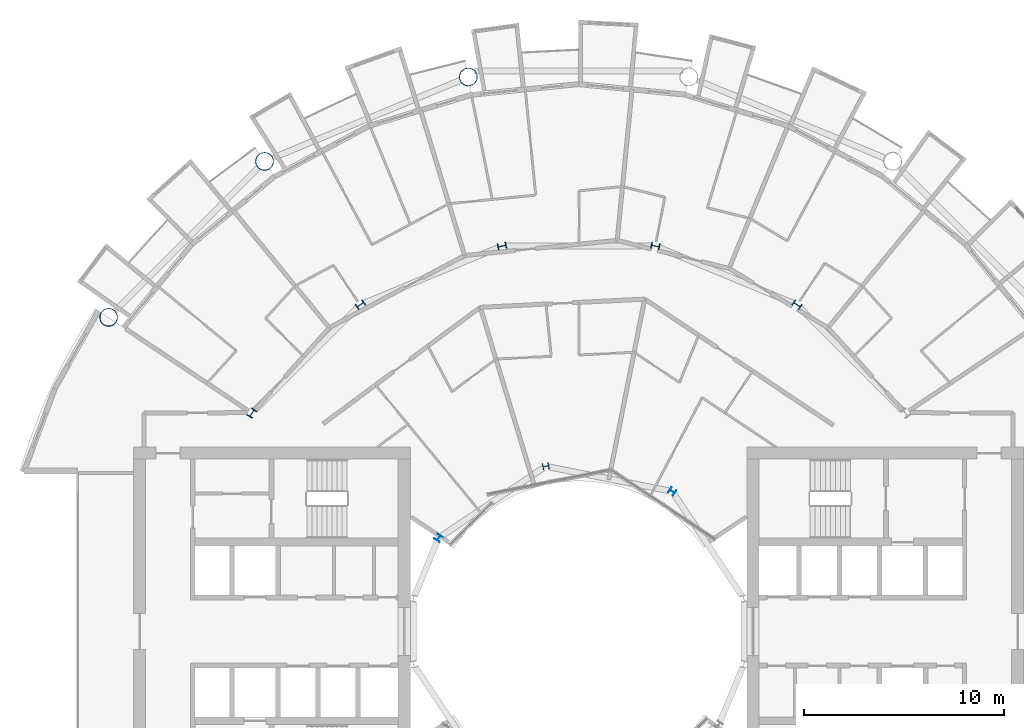
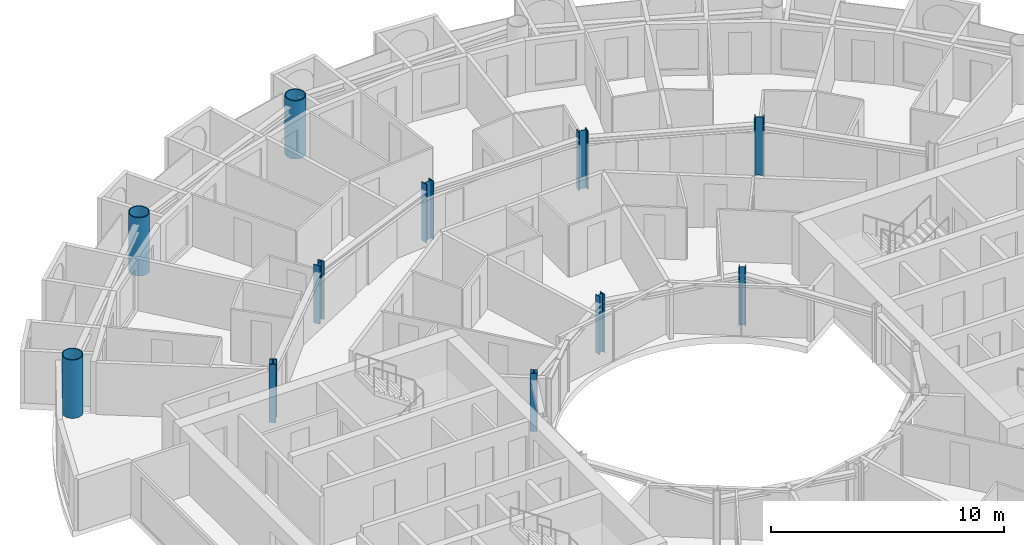
# One storey, part 3 of 26: 11 columns.
"""IFC4 building model written with IfcOpenShell, lengths in metres."""

from ifc_helpers import new_model, si_unit, direction, frame, origin, origin_2d, place, context, subcontext, project, spatial, hollow_circle, i_section, extrude, material, material_profile, profile_set, type_object, element, save


model = new_model("IFC4")

# Units and contexts
model_context = context("Model", 3, precision=1e-05, world=origin(), true_north=direction((0.0, 1.0)))
body_context = subcontext(model_context, "Body", "Model", "MODEL_VIEW")
ifc_project = project(units=[si_unit("LENGTHUNIT", "METRE"), si_unit("AREAUNIT", "SQUARE_METRE"), si_unit("VOLUMEUNIT", "CUBIC_METRE"), si_unit("PLANEANGLEUNIT", "RADIAN"), si_unit("MASSUNIT", "GRAM", prefix="KILO")], contexts=[model_context])

# Site, building, storey
site_placement = place(None, origin())
site = spatial("IfcSite", under=ifc_project, at=site_placement, CompositionType="ELEMENT")
building_placement = place(site_placement, origin())
building = spatial("IfcBuilding", under=site, at=building_placement, Name="Maasbend Ring Residences", CompositionType="ELEMENT")
storey_placement = place(building_placement, frame((0.0, 0.0, 123.85009765625)))
storey = spatial("IfcBuildingStorey", under=building, at=storey_placement, Name="L35", CompositionType="ELEMENT", Elevation=123.85009765625)

# Columns
ifc_material_1 = material(Name="Composite concrete-filled steel tube S460NH / C80/95", Category="concrete")
ifc_material_profile_1 = material_profile(ifc_material_1, hollow_circle(Radius=0.45703125, WallThickness=0.0400390625, at=origin_2d()), Name="Composite tube column CHS 914x40")
ifc_profile_set_1 = profile_set([ifc_material_profile_1], Name="Composite concrete-filled steel tube S460NH / C80/95")
column_type_1 = type_object("IfcColumnType", Name="Composite tube column CHS 914x40", PredefinedType="COLUMN", material=ifc_profile_set_1)
for number, where, z_axis, x_axis, name in (
    (1, (-5.50146484375, 27.658203125, 0.0), (0.0, 0.0, 1.0), (1.0, 0.0, 0.0), "Outer column R5"),
    (2, (-15.6669921875, 23.447509765625, 0.0), (0.0, 0.0, 1.0), (1.0, 0.0, 0.0), "Outer column R6"),
    (3, (-23.447509765625, 15.6669921875, 0.0), (0.0, 0.0, 1.0), (1.0, 0.0, 0.0), "Outer column R7"),
):
    element("IfcColumn", number, at=place(storey_placement, frame(where, z_axis=z_axis, x_axis=x_axis)), inside=storey, type_object=column_type_1, Name=name, PredefinedType="COLUMN", context=body_context, shape_type="SweptSolid", body=[
        extrude(hollow_circle(Radius=0.45703125, WallThickness=0.0400390625, at=origin_2d()), origin(), (0.0, 0.0, 1.0), 3.0498046875),
    ])
ifc_material_2 = material(Name="Steel S355J2", Category="steel")
ifc_material_profile_2 = material_profile(ifc_material_2, i_section(OverallWidth=0.300048828125, OverallDepth=0.300048828125, WebThickness=0.010986328125, FlangeThickness=0.01904296875, FilletRadius=0.027099609375, at=origin_2d()), Name="HEB 300")
ifc_profile_set_2 = profile_set([ifc_material_profile_2], Name="Steel S355J2")
column_type_2 = type_object("IfcColumnType", Name="Steel column HEB 300", PredefinedType="COLUMN", material=ifc_profile_set_2)
for number, where, z_axis, x_axis, name in (
    (4, (4.666748046875, 6.984375, 0.0), (0.0, 0.0, 1.0), (0.55557023302, 0.831469612303, 0.0), "Well ring column R3"),
    (5, (-1.638916015625, 8.238525390625, 0.0), (0.0, 0.0, 1.0), (-0.195090322016, 0.980785280403, 0.0), "Well ring column R5"),
    (6, (-6.984375, 4.666748046875, 0.0), (0.0, 0.0, 1.0), (-0.831469612303, 0.55557023302, 0.0), "Well ring column R7"),
):
    element("IfcColumn", number, at=place(storey_placement, frame(where, z_axis=z_axis, x_axis=x_axis)), inside=storey, type_object=column_type_2, Name=name, PredefinedType="COLUMN", context=body_context, shape_type="SweptSolid", body=[
        extrude(i_section(OverallWidth=0.300048828125, OverallDepth=0.300048828125, WebThickness=0.010986328125, FlangeThickness=0.01904296875, FilletRadius=0.027099609375, at=origin_2d()), origin(), (0.0, 0.0, 1.0), 3.0498046875),
    ])
ifc_material_3 = material(Name="Steel S460M", Category="steel")
ifc_material_profile_3 = material_profile(ifc_material_3, i_section(OverallWidth=0.306884765625, OverallDepth=0.431884765625, WebThickness=0.02099609375, FlangeThickness=0.0400390625, FilletRadius=0.027099609375, at=origin_2d()), Name="HEM 400")
ifc_profile_set_3 = profile_set([ifc_material_profile_3], Name="Steel S460M")
column_type_3 = type_object("IfcColumnType", Name="Steel column HEM 400", PredefinedType="COLUMN", material=ifc_profile_set_3)
for number, where, z_axis, x_axis, name in (
    (7, (10.88916015625, 16.296875, 0.0), (0.0, 0.0, 1.0), (0.55557023302, 0.831469612303, 0.0), "Corridor ring column R3"),
    (8, (3.82373046875, 19.223388671875, 0.0), (0.0, 0.0, 1.0), (0.195090322016, 0.980785280403, 0.0), "Corridor ring column R4"),
    (9, (-3.82373046875, 19.223388671875, 0.0), (0.0, 0.0, 1.0), (-0.195090322016, 0.980785280403, 0.0), "Corridor ring column R5"),
    (10, (-10.88916015625, 16.296875, 0.0), (0.0, 0.0, 1.0), (-0.55557023302, 0.831469612303, 0.0), "Corridor ring column R6"),
    (11, (-16.296875, 10.88916015625, 0.0), (0.0, 0.0, 1.0), (-0.831469612303, 0.55557023302, 0.0), "Corridor ring column R7"),
):
    element("IfcColumn", number, at=place(storey_placement, frame(where, z_axis=z_axis, x_axis=x_axis)), inside=storey, type_object=column_type_3, Name=name, PredefinedType="COLUMN", context=body_context, shape_type="SweptSolid", body=[
        extrude(i_section(OverallWidth=0.306884765625, OverallDepth=0.431884765625, WebThickness=0.02099609375, FlangeThickness=0.0400390625, FilletRadius=0.027099609375, at=origin_2d()), origin(), (0.0, 0.0, 1.0), 3.0498046875),
    ])

save(model, "model.ifc")
